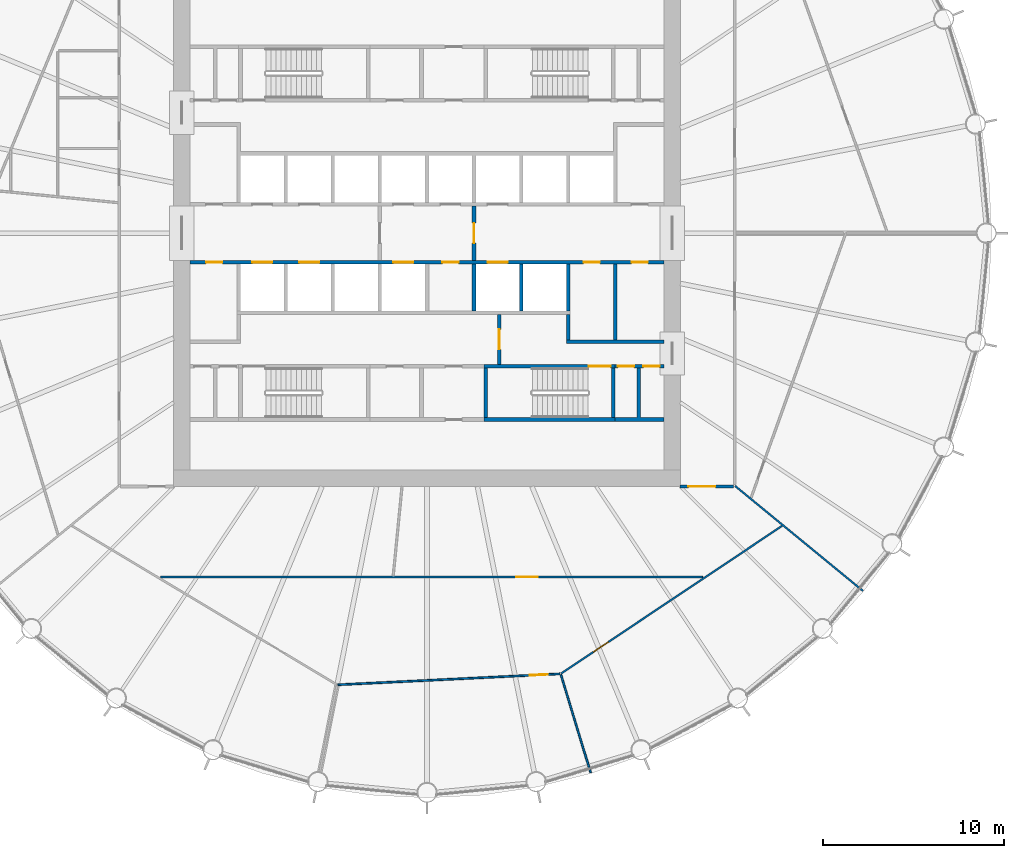
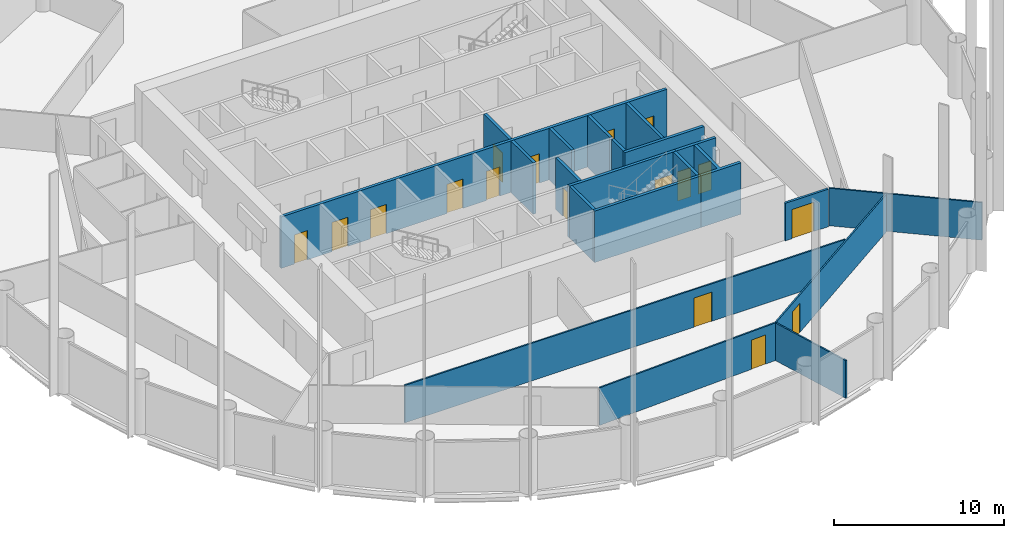
# One storey, part 5 of 9: 21 walls, 17 doors, 17 openings.
"""IFC4 building model written with IfcOpenShell, lengths in metres."""

from ifc_helpers import new_model, si_unit, direction, frame, frame_2d, origin, place, context, subcontext, project, spatial, polyline, rectangle, outline, extrude, material, layer, layer_set, type_object, element, fill, save


model = new_model("IFC4")

# Units and contexts
model_context = context("Model", 3, precision=1e-05, world=origin(), true_north=direction((0.0, 1.0)))
body_context = subcontext(model_context, "Body", "Model", "MODEL_VIEW")
ifc_project = project(units=[si_unit("LENGTHUNIT", "METRE"), si_unit("AREAUNIT", "SQUARE_METRE"), si_unit("VOLUMEUNIT", "CUBIC_METRE"), si_unit("PLANEANGLEUNIT", "RADIAN"), si_unit("MASSUNIT", "GRAM", prefix="KILO")], contexts=[model_context])

# Site, building, storey
site_placement = place(None, origin())
site = spatial("IfcSite", under=ifc_project, at=site_placement, CompositionType="ELEMENT")
building_placement = place(site_placement, origin())
building = spatial("IfcBuilding", under=site, at=building_placement, Name="Corvane Civic Tower", CompositionType="ELEMENT")
storey_placement = place(building_placement, frame((0.0, 0.0, 160.0)))
storey = spatial("IfcBuildingStorey", under=building, at=storey_placement, Name="L37", CompositionType="ELEMENT", Elevation=160.0)

# Wall, openings, doors
ifc_material_1 = material(Name="Concrete C30/37", Category="concrete")
ifc_layer_1 = layer(ifc_material_1, 0.199951171875)
ifc_layer_set_1 = layer_set([ifc_layer_1], Name="Concrete C30/37")
wall_type_1 = type_object("IfcWallType", Name="CR-WALL-200", PredefinedType="PARTITIONING", material=ifc_layer_set_1)
wall_1_placement = place(storey_placement, frame((10.39990234375, -7.35009765625, 0.0), z_axis=(0.0, 0.0, 1.0), x_axis=(1.0, 0.0, 0.0)))
wall_1 = element("IfcWall", 1, at=wall_1_placement, inside=storey, type_object=wall_type_1, Name="L37 core partition wall", PredefinedType="PARTITIONING", context=body_context, shape_type="SweptSolid", body=[
    extrude(rectangle(XDim=2.7001953125, YDim=0.199951171875, at=frame_2d((1.35009765625, 0.0))), origin(), (0.0, 0.0, 1.0), 3.699951171875),
])
opening_1_placement = place(wall_1_placement, frame((0.14990234375, 0.0, 0.0)))
opening_1 = element("IfcOpeningElement", 2, at=opening_1_placement, cuts=wall_1, Name="Opening L37.C19", PredefinedType="OPENING", context=body_context, shape_type="SweptSolid", body=[
    extrude(rectangle(XDim=0.89990234375, YDim=2.10009765625, at=frame_2d((0.449951171875, 1.050048828125))), frame((0.0, 0.10986328125, 0.0), z_axis=(0.0, -1.0, 0.0), x_axis=(1.0, 0.0, 0.0)), (0.0, 0.0, 1.0), 0.219970703125),
])
opening_2_placement = place(wall_1_placement, frame((1.550048828125, 0.0, 0.0)))
opening_2 = element("IfcOpeningElement", 3, at=opening_2_placement, cuts=wall_1, Name="Opening L37.C20", PredefinedType="OPENING", context=body_context, shape_type="SweptSolid", body=[
    extrude(rectangle(XDim=0.89990234375, YDim=2.10009765625, at=frame_2d((0.449951171875, 1.050048828125))), frame((0.0, 0.10986328125, 0.0), z_axis=(0.0, -1.0, 0.0), x_axis=(1.0, 0.0, 0.0)), (0.0, 0.0, 1.0), 0.219970703125),
])
ifc_material_2 = material(Name="Steel fire door leaf", Category="steel")
door_type_1 = type_object("IfcDoorType", Name="CR-DOOR-900", OperationType="SINGLE_SWING_LEFT", PredefinedType="DOOR", material=ifc_material_2)
door_1_placement = place(opening_1_placement, origin())
door_1 = element("IfcDoor", 4, at=door_1_placement, inside=storey, type_object=door_type_1, Name="L37 door", OperationType="SINGLE_SWING_LEFT", OverallHeight=2.10009765625, OverallWidth=0.89990234375, PredefinedType="DOOR", context=body_context, shape_type="SweptSolid", body=[
    extrude(rectangle(XDim=0.89990234375, YDim=2.10009765625, at=frame_2d((0.449951171875, 1.050048828125))), frame((0.0, 0.02490234375, 0.0), z_axis=(0.0, -1.0, 0.0), x_axis=(1.0, 0.0, 0.0)), (0.0, 0.0, 1.0), 0.050048828125),
])
fill(opening_1, door_1)
door_2_placement = place(opening_2_placement, origin())
door_2 = element("IfcDoor", 5, at=door_2_placement, inside=storey, type_object=door_type_1, Name="L37 door", OperationType="SINGLE_SWING_LEFT", OverallHeight=2.10009765625, OverallWidth=0.89990234375, PredefinedType="DOOR", context=body_context, shape_type="SweptSolid", body=[
    extrude(rectangle(XDim=0.89990234375, YDim=2.10009765625, at=frame_2d((0.449951171875, 1.050048828125))), frame((0.0, 0.02490234375, 0.0), z_axis=(0.0, -1.0, 0.0), x_axis=(1.0, 0.0, 0.0)), (0.0, 0.0, 1.0), 0.050048828125),
])
fill(opening_2, door_2)

wall_2_placement = place(storey_placement, frame((-13.10009765625, -1.60009765625, 0.0), z_axis=(0.0, 0.0, 1.0), x_axis=(1.0, 0.0, 0.0)))
wall_2 = element("IfcWall", 6, at=wall_2_placement, inside=storey, type_object=wall_type_1, Name="L37 lift shaft wall", PredefinedType="PARTITIONING", context=body_context, shape_type="SweptSolid", body=[
    extrude(rectangle(XDim=26.2001953125, YDim=0.199951171875, at=frame_2d((13.10009765625, 0.0))), origin(), (0.0, 0.0, 1.0), 3.699951171875),
])
opening_3_placement = place(wall_2_placement, frame((3.449951171875, 0.0, 0.0)))
opening_3 = element("IfcOpeningElement", 7, at=opening_3_placement, cuts=wall_2, Name="Opening LD", PredefinedType="OPENING", context=body_context, shape_type="SweptSolid", body=[
    extrude(rectangle(XDim=1.10009765625, YDim=2.10009765625, at=frame_2d((0.550048828125, 1.050048828125))), frame((0.0, 0.10986328125, 0.0), z_axis=(0.0, -1.0, 0.0), x_axis=(1.0, 0.0, 0.0)), (0.0, 0.0, 1.0), 0.219970703125),
])
opening_4_placement = place(wall_2_placement, frame((6.050048828125, 0.0, 0.0)))
opening_4 = element("IfcOpeningElement", 8, at=opening_4_placement, cuts=wall_2, Name="Opening LD", PredefinedType="OPENING", context=body_context, shape_type="SweptSolid", body=[
    extrude(rectangle(XDim=1.10009765625, YDim=2.10009765625, at=frame_2d((0.550048828125, 1.050048828125))), frame((0.0, 0.10986328125, 0.0), z_axis=(0.0, -1.0, 0.0), x_axis=(1.0, 0.0, 0.0)), (0.0, 0.0, 1.0), 0.219970703125),
])
opening_5_placement = place(wall_2_placement, frame((11.25, 0.0, 0.0)))
opening_5 = element("IfcOpeningElement", 9, at=opening_5_placement, cuts=wall_2, Name="Opening LD", PredefinedType="OPENING", context=body_context, shape_type="SweptSolid", body=[
    extrude(rectangle(XDim=1.10009765625, YDim=2.10009765625, at=frame_2d((0.550048828125, 1.050048828125))), frame((0.0, 0.10986328125, 0.0), z_axis=(0.0, -1.0, 0.0), x_axis=(1.0, 0.0, 0.0)), (0.0, 0.0, 1.0), 0.219970703125),
])
opening_6_placement = place(wall_2_placement, frame((13.949951171875, 0.0, 0.0)))
opening_6 = element("IfcOpeningElement", 10, at=opening_6_placement, cuts=wall_2, Name="Opening L37.C03", PredefinedType="OPENING", context=body_context, shape_type="SweptSolid", body=[
    extrude(rectangle(XDim=0.89990234375, YDim=2.10009765625, at=frame_2d((0.449951171875, 1.050048828125))), frame((0.0, 0.10986328125, 0.0), z_axis=(0.0, -1.0, 0.0), x_axis=(1.0, 0.0, 0.0)), (0.0, 0.0, 1.0), 0.219970703125),
])
opening_7_placement = place(wall_2_placement, frame((16.449951171875, 0.0, 0.0)))
opening_7 = element("IfcOpeningElement", 11, at=opening_7_placement, cuts=wall_2, Name="Opening LD", PredefinedType="OPENING", context=body_context, shape_type="SweptSolid", body=[
    extrude(rectangle(XDim=1.10009765625, YDim=2.10009765625, at=frame_2d((0.550048828125, 1.050048828125))), frame((0.0, 0.10986328125, 0.0), z_axis=(0.0, -1.0, 0.0), x_axis=(1.0, 0.0, 0.0)), (0.0, 0.0, 1.0), 0.219970703125),
])
opening_8_placement = place(wall_2_placement, frame((0.89990234375, 0.0, 0.0)))
opening_8 = element("IfcOpeningElement", 12, at=opening_8_placement, cuts=wall_2, Name="Opening L37.C04", PredefinedType="OPENING", context=body_context, shape_type="SweptSolid", body=[
    extrude(rectangle(XDim=0.89990234375, YDim=2.10009765625, at=frame_2d((0.449951171875, 1.050048828125))), frame((0.0, 0.10986328125, 0.0), z_axis=(0.0, -1.0, 0.0), x_axis=(1.0, 0.0, 0.0)), (0.0, 0.0, 1.0), 0.219970703125),
])
opening_9_placement = place(wall_2_placement, frame((21.75, 0.0, 0.0)))
opening_9 = element("IfcOpeningElement", 13, at=opening_9_placement, cuts=wall_2, Name="Opening L37.C05", PredefinedType="OPENING", context=body_context, shape_type="SweptSolid", body=[
    extrude(rectangle(XDim=0.89990234375, YDim=2.10009765625, at=frame_2d((0.449951171875, 1.050048828125))), frame((0.0, 0.10986328125, 0.0), z_axis=(0.0, -1.0, 0.0), x_axis=(1.0, 0.0, 0.0)), (0.0, 0.0, 1.0), 0.219970703125),
])
opening_10_placement = place(wall_2_placement, frame((24.39990234375, 0.0, 0.0)))
opening_10 = element("IfcOpeningElement", 14, at=opening_10_placement, cuts=wall_2, Name="Opening L37.C06", PredefinedType="OPENING", context=body_context, shape_type="SweptSolid", body=[
    extrude(rectangle(XDim=0.89990234375, YDim=2.10009765625, at=frame_2d((0.449951171875, 1.050048828125))), frame((0.0, 0.10986328125, 0.0), z_axis=(0.0, -1.0, 0.0), x_axis=(1.0, 0.0, 0.0)), (0.0, 0.0, 1.0), 0.219970703125),
])
door_3_placement = place(opening_6_placement, origin())
door_3 = element("IfcDoor", 15, at=door_3_placement, inside=storey, type_object=door_type_1, Name="L37 door", OperationType="SINGLE_SWING_LEFT", OverallHeight=2.10009765625, OverallWidth=0.89990234375, PredefinedType="DOOR", context=body_context, shape_type="SweptSolid", body=[
    extrude(rectangle(XDim=0.89990234375, YDim=2.10009765625, at=frame_2d((0.449951171875, 1.050048828125))), frame((0.0, 0.02490234375, 0.0), z_axis=(0.0, -1.0, 0.0), x_axis=(1.0, 0.0, 0.0)), (0.0, 0.0, 1.0), 0.050048828125),
])
fill(opening_6, door_3)
door_4_placement = place(opening_8_placement, origin())
door_4 = element("IfcDoor", 16, at=door_4_placement, inside=storey, type_object=door_type_1, Name="L37 door", OperationType="SINGLE_SWING_LEFT", OverallHeight=2.10009765625, OverallWidth=0.89990234375, PredefinedType="DOOR", context=body_context, shape_type="SweptSolid", body=[
    extrude(rectangle(XDim=0.89990234375, YDim=2.10009765625, at=frame_2d((0.449951171875, 1.050048828125))), frame((0.0, 0.02490234375, 0.0), z_axis=(0.0, -1.0, 0.0), x_axis=(1.0, 0.0, 0.0)), (0.0, 0.0, 1.0), 0.050048828125),
])
fill(opening_8, door_4)
door_5_placement = place(opening_9_placement, origin())
door_5 = element("IfcDoor", 17, at=door_5_placement, inside=storey, type_object=door_type_1, Name="L37 door", OperationType="SINGLE_SWING_LEFT", OverallHeight=2.10009765625, OverallWidth=0.89990234375, PredefinedType="DOOR", context=body_context, shape_type="SweptSolid", body=[
    extrude(rectangle(XDim=0.89990234375, YDim=2.10009765625, at=frame_2d((0.449951171875, 1.050048828125))), frame((0.0, 0.02490234375, 0.0), z_axis=(0.0, -1.0, 0.0), x_axis=(1.0, 0.0, 0.0)), (0.0, 0.0, 1.0), 0.050048828125),
])
fill(opening_9, door_5)
door_6_placement = place(opening_10_placement, origin())
door_6 = element("IfcDoor", 18, at=door_6_placement, inside=storey, type_object=door_type_1, Name="L37 door", OperationType="SINGLE_SWING_LEFT", OverallHeight=2.10009765625, OverallWidth=0.89990234375, PredefinedType="DOOR", context=body_context, shape_type="SweptSolid", body=[
    extrude(rectangle(XDim=0.89990234375, YDim=2.10009765625, at=frame_2d((0.449951171875, 1.050048828125))), frame((0.0, 0.02490234375, 0.0), z_axis=(0.0, -1.0, 0.0), x_axis=(1.0, 0.0, 0.0)), (0.0, 0.0, 1.0), 0.050048828125),
])
fill(opening_10, door_6)
ifc_material_3 = material(Name="Stainless steel 316 door leaves", Category="steel")
door_type_2 = type_object("IfcDoorType", Name="LD", OperationType="DOUBLE_DOOR_SLIDING", PredefinedType="DOOR", material=ifc_material_3)
door_7_placement = place(opening_3_placement, origin())
door_7 = element("IfcDoor", 19, at=door_7_placement, inside=storey, type_object=door_type_2, Name="L37 landing door", OperationType="DOUBLE_DOOR_SLIDING", OverallHeight=2.10009765625, OverallWidth=1.10009765625, PredefinedType="DOOR", context=body_context, shape_type="SweptSolid", body=[
    extrude(rectangle(XDim=1.10009765625, YDim=2.10009765625, at=frame_2d((0.550048828125, 1.050048828125))), frame((0.0, 0.02490234375, 0.0), z_axis=(0.0, -1.0, 0.0), x_axis=(1.0, 0.0, 0.0)), (0.0, 0.0, 1.0), 0.050048828125),
])
fill(opening_3, door_7)
door_8_placement = place(opening_4_placement, origin())
door_8 = element("IfcDoor", 20, at=door_8_placement, inside=storey, type_object=door_type_2, Name="L37 landing door", OperationType="DOUBLE_DOOR_SLIDING", OverallHeight=2.10009765625, OverallWidth=1.10009765625, PredefinedType="DOOR", context=body_context, shape_type="SweptSolid", body=[
    extrude(rectangle(XDim=1.10009765625, YDim=2.10009765625, at=frame_2d((0.550048828125, 1.050048828125))), frame((0.0, 0.02490234375, 0.0), z_axis=(0.0, -1.0, 0.0), x_axis=(1.0, 0.0, 0.0)), (0.0, 0.0, 1.0), 0.050048828125),
])
fill(opening_4, door_8)
door_9_placement = place(opening_5_placement, origin())
door_9 = element("IfcDoor", 21, at=door_9_placement, inside=storey, type_object=door_type_2, Name="L37 landing door", OperationType="DOUBLE_DOOR_SLIDING", OverallHeight=2.10009765625, OverallWidth=1.10009765625, PredefinedType="DOOR", context=body_context, shape_type="SweptSolid", body=[
    extrude(rectangle(XDim=1.10009765625, YDim=2.10009765625, at=frame_2d((0.550048828125, 1.050048828125))), frame((0.0, 0.02490234375, 0.0), z_axis=(0.0, -1.0, 0.0), x_axis=(1.0, 0.0, 0.0)), (0.0, 0.0, 1.0), 0.050048828125),
])
fill(opening_5, door_9)
door_10_placement = place(opening_7_placement, origin())
door_10 = element("IfcDoor", 22, at=door_10_placement, inside=storey, type_object=door_type_2, Name="L37 landing door", OperationType="DOUBLE_DOOR_SLIDING", OverallHeight=2.10009765625, OverallWidth=1.10009765625, PredefinedType="DOOR", context=body_context, shape_type="SweptSolid", body=[
    extrude(rectangle(XDim=1.10009765625, YDim=2.10009765625, at=frame_2d((0.550048828125, 1.050048828125))), frame((0.0, 0.02490234375, 0.0), z_axis=(0.0, -1.0, 0.0), x_axis=(1.0, 0.0, 0.0)), (0.0, 0.0, 1.0), 0.050048828125),
])
fill(opening_7, door_10)

# Wall, opening, door
wall_3_placement = place(storey_placement, frame((2.60009765625, -1.5, 0.0), z_axis=(0.0, 0.0, 1.0), x_axis=(0.0, 1.0, 0.0)))
wall_3 = element("IfcWall", 23, at=wall_3_placement, inside=storey, type_object=wall_type_1, Name="L37 firefighting lobby wall", PredefinedType="PARTITIONING", context=body_context, shape_type="SweptSolid", body=[
    extrude(rectangle(XDim=3.0, YDim=0.199951171875, at=frame_2d((1.5, 0.0))), origin(), (0.0, 0.0, 1.0), 3.699951171875),
])
opening_11_placement = place(wall_3_placement, frame((0.949951171875, 0.0, 0.0)))
opening_11 = element("IfcOpeningElement", 24, at=opening_11_placement, cuts=wall_3, Name="Opening L37.C26", PredefinedType="OPENING", context=body_context, shape_type="SweptSolid", body=[
    extrude(rectangle(XDim=1.10009765625, YDim=2.10009765625, at=frame_2d((0.550048828125, 1.050048828125))), frame((0.0, 0.10986328125, 0.0), z_axis=(0.0, -1.0, 0.0), x_axis=(1.0, 0.0, 0.0)), (0.0, 0.0, 1.0), 0.219970703125),
])
ifc_material_4 = material(Name="Steel fire door leaf", Category="steel")
door_type_3 = type_object("IfcDoorType", Name="CR-DOOR-FFL-1100", OperationType="SINGLE_SWING_LEFT", PredefinedType="DOOR", material=ifc_material_4)
door_11_placement = place(opening_11_placement, origin())
door_11 = element("IfcDoor", 25, at=door_11_placement, inside=storey, type_object=door_type_3, Name="L37 lobby door", OperationType="SINGLE_SWING_LEFT", OverallHeight=2.10009765625, OverallWidth=1.10009765625, PredefinedType="DOOR", context=body_context, shape_type="SweptSolid", body=[
    extrude(rectangle(XDim=1.10009765625, YDim=2.10009765625, at=frame_2d((0.550048828125, 1.050048828125))), frame((0.0, 0.02490234375, 0.0), z_axis=(0.0, -1.0, 0.0), x_axis=(1.0, 0.0, 0.0)), (0.0, 0.0, 1.0), 0.050048828125),
])
fill(opening_11, door_11)

wall_4_placement = place(storey_placement, frame((4.0, -7.25, 0.0), z_axis=(0.0, 0.0, 1.0), x_axis=(0.0, 1.0, 0.0)))
wall_4 = element("IfcWall", 26, at=wall_4_placement, inside=storey, type_object=wall_type_1, Name="L37 core partition wall", PredefinedType="PARTITIONING", context=body_context, shape_type="SweptSolid", body=[
    extrude(rectangle(XDim=2.75, YDim=0.199951171875, at=frame_2d((1.375, 0.0))), origin(), (0.0, 0.0, 1.0), 3.699951171875),
])
opening_12_placement = place(wall_4_placement, frame((0.824951171875, 0.0, 0.0)))
opening_12 = element("IfcOpeningElement", 27, at=opening_12_placement, cuts=wall_4, Name="Opening L37.C27", PredefinedType="OPENING", context=body_context, shape_type="SweptSolid", body=[
    extrude(rectangle(XDim=1.10009765625, YDim=2.10009765625, at=frame_2d((0.550048828125, 1.050048828125))), frame((0.0, 0.10986328125, 0.0), z_axis=(0.0, -1.0, 0.0), x_axis=(1.0, 0.0, 0.0)), (0.0, 0.0, 1.0), 0.219970703125),
])
door_12_placement = place(opening_12_placement, origin())
door_12 = element("IfcDoor", 28, at=door_12_placement, inside=storey, type_object=door_type_3, Name="L37 lobby door", OperationType="SINGLE_SWING_LEFT", OverallHeight=2.10009765625, OverallWidth=1.10009765625, PredefinedType="DOOR", context=body_context, shape_type="SweptSolid", body=[
    extrude(rectangle(XDim=1.10009765625, YDim=2.10009765625, at=frame_2d((0.550048828125, 1.050048828125))), frame((0.0, 0.02490234375, 0.0), z_axis=(0.0, -1.0, 0.0), x_axis=(1.0, 0.0, 0.0)), (0.0, 0.0, 1.0), 0.050048828125),
])
fill(opening_12, door_12)

# Walls
wall_5_placement = place(storey_placement, origin())
element("IfcWall", 29, at=wall_5_placement, inside=storey, type_object=wall_type_1, Name="L37 core partition wall", PredefinedType="PARTITIONING", context=body_context, shape_type="SweptSolid", body=[
    extrude(outline(polyline([(13.10009765625, -6.10009765625), (7.699951171875, -6.10009765625), (7.699951171875, -5.89990234375), (13.10009765625, -5.89990234375), (13.10009765625, -6.10009765625)])), origin(), (0.0, 0.0, 1.0), 3.699951171875),
])
wall_6_placement = place(storey_placement, origin())
element("IfcWall", 30, at=wall_6_placement, inside=storey, type_object=wall_type_1, Name="L37 core partition wall", PredefinedType="PARTITIONING", context=body_context, shape_type="SweptSolid", body=[
    extrude(outline(polyline([(10.5, -1.699951171875), (10.5, -5.89990234375), (10.300048828125, -5.89990234375), (10.300048828125, -1.699951171875), (10.5, -1.699951171875)])), origin(), (0.0, 0.0, 1.0), 3.699951171875),
])
wall_7_placement = place(storey_placement, origin())
element("IfcWall", 31, at=wall_7_placement, inside=storey, type_object=wall_type_1, Name="L37 core partition wall", PredefinedType="PARTITIONING", context=body_context, shape_type="SweptSolid", body=[
    extrude(outline(polyline([(2.699951171875, -1.699951171875), (2.699951171875, -4.2998046875), (2.5, -4.2998046875), (2.5, -1.699951171875), (2.699951171875, -1.699951171875)])), origin(), (0.0, 0.0, 1.0), 3.699951171875),
])
wall_8_placement = place(storey_placement, origin())
element("IfcWall", 32, at=wall_8_placement, inside=storey, type_object=wall_type_1, Name="L37 core partition wall", PredefinedType="PARTITIONING", context=body_context, shape_type="SweptSolid", body=[
    extrude(outline(polyline([(5.300048828125, -1.699951171875), (5.300048828125, -4.2998046875), (5.10009765625, -4.2998046875), (5.10009765625, -1.699951171875), (5.300048828125, -1.699951171875)])), origin(), (0.0, 0.0, 1.0), 3.699951171875),
])
wall_9_placement = place(storey_placement, origin())
element("IfcWall", 33, at=wall_9_placement, inside=storey, type_object=wall_type_1, Name="L37 core partition wall", PredefinedType="PARTITIONING", context=body_context, shape_type="SweptSolid", body=[
    extrude(outline(polyline([(7.89990234375, -1.699951171875), (7.89990234375, -4.2998046875), (7.699951171875, -4.2998046875), (7.699951171875, -1.699951171875), (7.89990234375, -1.699951171875)])), origin(), (0.0, 0.0, 1.0), 3.699951171875),
])
wall_10_placement = place(storey_placement, origin())
element("IfcWall", 34, at=wall_10_placement, inside=storey, type_object=wall_type_1, Name="L37 core partition wall", PredefinedType="PARTITIONING", context=body_context, shape_type="SweptSolid", body=[
    extrude(outline(polyline([(7.89990234375, -5.89990234375), (7.699951171875, -5.89990234375), (7.699951171875, -4.5), (7.89990234375, -4.5), (7.89990234375, -5.89990234375)])), origin(), (0.0, 0.0, 1.0), 3.699951171875),
])
wall_11_placement = place(storey_placement, origin())
element("IfcWall", 35, at=wall_11_placement, inside=storey, type_object=wall_type_1, Name="L37 core partition wall", PredefinedType="PARTITIONING", context=body_context, shape_type="SweptSolid", body=[
    extrude(outline(polyline([(11.800048828125, -7.449951171875), (11.800048828125, -10.199951171875), (13.10009765625, -10.199951171875), (13.10009765625, -10.39990234375), (10.39990234375, -10.39990234375), (10.39990234375, -10.199951171875), (11.60009765625, -10.199951171875), (11.60009765625, -7.449951171875), (11.800048828125, -7.449951171875)])), origin(), (0.0, 0.0, 1.0), 3.699951171875),
])
ifc_material_5 = material(Name="Plasterboard")
ifc_layer_2 = layer(ifc_material_5, 0.10009765625)
ifc_layer_set_2 = layer_set([ifc_layer_2], Name="Plasterboard")
wall_type_2 = type_object("IfcWallType", Name="Partition 100 plasterboard on studs", PredefinedType="PARTITIONING", material=ifc_layer_set_2)
wall_12_placement = place(storey_placement, frame((7.397216796875, -24.385009765625, 0.0), z_axis=(0.0, 0.0, 1.0), x_axis=(0.290278763568, -0.956942129609, 0.0)))
element("IfcWall", 36, at=wall_12_placement, inside=storey, type_object=wall_type_2, Name="Partition L37.001", PredefinedType="PARTITIONING", context=body_context, shape_type="SweptSolid", body=[
    extrude(rectangle(XDim=5.66796875, YDim=0.10009765625, at=frame_2d((2.833984375, 0.0))), origin(), (0.0, 0.0, 1.0), 2.699951171875),
])

# Wall, opening, door
wall_13_placement = place(storey_placement, frame((-4.9248046875, -24.952392578125, 0.0), z_axis=(0.0, 0.0, 1.0), x_axis=(0.998795760004, 0.049061489962, 0.0)))
wall_13 = element("IfcWall", 37, at=wall_13_placement, inside=storey, type_object=wall_type_2, Name="Partition L37.003", PredefinedType="PARTITIONING", context=body_context, shape_type="SweptSolid", body=[
    extrude(rectangle(XDim=12.286376953125, YDim=0.10009765625, at=frame_2d((6.14306640625, 0.0))), origin(), (0.0, 0.0, 1.0), 2.699951171875),
])
opening_13_placement = place(wall_13_placement, frame((10.616455078125, 0.0, 0.0)))
opening_13 = element("IfcOpeningElement", 38, at=opening_13_placement, cuts=wall_13, Name="Opening L37.007", PredefinedType="OPENING", context=body_context, shape_type="SweptSolid", body=[
    extrude(rectangle(XDim=1.0, YDim=2.10009765625, at=frame_2d((0.5, 1.050048828125))), frame((0.0, 0.06005859375, 0.0), z_axis=(0.0, -1.0, 0.0), x_axis=(1.0, 0.0, 0.0)), (0.0, 0.0, 1.0), 0.1201171875),
])
ifc_material_6 = material(Name="Timber", Category="wood")
door_type_4 = type_object("IfcDoorType", Name="Single door 1000", OperationType="NOTDEFINED", PredefinedType="DOOR", material=ifc_material_6)
door_13_placement = place(opening_13_placement, frame((1.0, 0.0, 0.0), z_axis=(0.0, 0.0, 1.0), x_axis=(-1.0, 0.0, 0.0)))
door_13 = element("IfcDoor", 39, at=door_13_placement, inside=storey, type_object=door_type_4, Name="Door L37.007", OperationType="SINGLE_SWING_RIGHT", OverallHeight=2.10009765625, OverallWidth=1.0, PredefinedType="DOOR", context=body_context, shape_type="SweptSolid", body=[
    extrude(rectangle(XDim=1.0, YDim=2.10009765625, at=frame_2d((0.5, 1.050048828125))), frame((0.0, 0.02490234375, 0.0), z_axis=(0.0, -1.0, 0.0), x_axis=(1.0, 0.0, 0.0)), (0.0, 0.0, 1.0), 0.050048828125),
])
fill(opening_13, door_13)

wall_14_placement = place(storey_placement, frame((7.41650390625, -24.3271484375, 0.0), z_axis=(0.0, 0.0, 1.0), x_axis=(0.831468530602, 0.555571851896, 0.0)))
wall_14 = element("IfcWall", 40, at=wall_14_placement, inside=storey, type_object=wall_type_2, Name="Partition L37.005", PredefinedType="PARTITIONING", context=body_context, shape_type="SweptSolid", body=[
    extrude(rectangle(XDim=14.667236328125, YDim=0.10009765625, at=frame_2d((7.33349609375, 0.0))), origin(), (0.0, 0.0, 1.0), 2.699951171875),
])
opening_14_placement = place(wall_14_placement, frame((2.1328125, 0.0, 0.0)))
opening_14 = element("IfcOpeningElement", 41, at=opening_14_placement, cuts=wall_14, Name="Opening L37.006", PredefinedType="OPENING", context=body_context, shape_type="SweptSolid", body=[
    extrude(rectangle(XDim=1.0, YDim=2.10009765625, at=frame_2d((0.5, 1.050048828125))), frame((0.0, 0.06005859375, 0.0), z_axis=(0.0, -1.0, 0.0), x_axis=(1.0, 0.0, 0.0)), (0.0, 0.0, 1.0), 0.1201171875),
])
door_14_placement = place(opening_14_placement, frame((1.0, 0.0, 0.0), z_axis=(0.0, 0.0, 1.0), x_axis=(-1.0, 0.0, 0.0)))
door_14 = element("IfcDoor", 42, at=door_14_placement, inside=storey, type_object=door_type_4, Name="Door L37.006", OperationType="SINGLE_SWING_LEFT", OverallHeight=2.10009765625, OverallWidth=1.0, PredefinedType="DOOR", context=body_context, shape_type="SweptSolid", body=[
    extrude(rectangle(XDim=1.0, YDim=2.10009765625, at=frame_2d((0.5, 1.050048828125))), frame((0.0, 0.02490234375, 0.0), z_axis=(0.0, -1.0, 0.0), x_axis=(1.0, 0.0, 0.0)), (0.0, 0.0, 1.0), 0.050048828125),
])
fill(opening_14, door_14)

# Wall
wall_15_placement = place(storey_placement, frame((17.018310546875, -13.966552734375, 0.0), z_axis=(0.0, 0.0, 1.0), x_axis=(0.773006154143, -0.634398522742, 0.0)))
element("IfcWall", 43, at=wall_15_placement, inside=storey, type_object=wall_type_2, Name="Partition L37.007", PredefinedType="PARTITIONING", context=body_context, shape_type="SweptSolid", body=[
    extrude(rectangle(XDim=9.134521484375, YDim=0.10009765625, at=frame_2d((4.5673828125, 0.0))), origin(), (0.0, 0.0, 1.0), 2.699951171875),
])

# Wall, opening, door
wall_16_placement = place(storey_placement, frame((-14.71728515625, -19.0, 0.0), z_axis=(0.0, 0.0, 1.0), x_axis=(1.0, 0.0, 0.0)))
wall_16 = element("IfcWall", 44, at=wall_16_placement, inside=storey, type_object=wall_type_2, Name="Partition L37.008", PredefinedType="PARTITIONING", context=body_context, shape_type="SweptSolid", body=[
    extrude(rectangle(XDim=29.941650390625, YDim=0.10009765625, at=frame_2d((14.970703125, 0.0))), origin(), (0.0, 0.0, 1.0), 2.699951171875),
])
opening_15_placement = place(wall_16_placement, frame((19.639404296875, 0.0, 0.0)))
opening_15 = element("IfcOpeningElement", 45, at=opening_15_placement, cuts=wall_16, Name="Opening L37.009", PredefinedType="OPENING", context=body_context, shape_type="SweptSolid", body=[
    extrude(rectangle(XDim=1.199951171875, YDim=2.10009765625, at=frame_2d((0.60009765625, 1.050048828125))), frame((0.0, 0.06005859375, 0.0), z_axis=(0.0, -1.0, 0.0), x_axis=(1.0, 0.0, 0.0)), (0.0, 0.0, 1.0), 0.1201171875),
])
ifc_material_7 = material(Name="Timber", Category="wood")
door_type_5 = type_object("IfcDoorType", Name="Double door 1200", OperationType="NOTDEFINED", PredefinedType="DOOR", material=ifc_material_7)
door_15_placement = place(opening_15_placement, frame((1.199951171875, 0.0, 0.0), z_axis=(0.0, 0.0, 1.0), x_axis=(-1.0, 0.0, 0.0)))
door_15 = element("IfcDoor", 46, at=door_15_placement, inside=storey, type_object=door_type_5, Name="Door L37.009", OperationType="DOUBLE_DOOR_SINGLE_SWING", OverallHeight=2.10009765625, OverallWidth=1.199951171875, PredefinedType="DOOR", context=body_context, shape_type="SweptSolid", body=[
    extrude(rectangle(XDim=1.199951171875, YDim=2.10009765625, at=frame_2d((0.60009765625, 1.050048828125))), frame((0.0, 0.02490234375, 0.0), z_axis=(0.0, -1.0, 0.0), x_axis=(1.0, 0.0, 0.0)), (0.0, 0.0, 1.0), 0.050048828125),
])
fill(opening_15, door_15)

ifc_material_8 = material(Name="Concrete C50/60", Category="concrete")
ifc_layer_3 = layer(ifc_material_8, 0.199951171875)
ifc_layer_set_3 = layer_set([ifc_layer_3], Name="Concrete C50/60")
wall_type_3 = type_object("IfcWallType", Name="ST-WALL-200", PredefinedType="SHEAR", material=ifc_layer_set_3)
wall_17_placement = place(storey_placement, frame((3.14990234375, -7.35009765625, 0.0), z_axis=(0.0, 0.0, 1.0), x_axis=(1.0, 0.0, 0.0)))
wall_17 = element("IfcWall", 47, at=wall_17_placement, inside=storey, type_object=wall_type_3, Name="L37 stair enclosure wall", PredefinedType="SHEAR", context=body_context, shape_type="SweptSolid", body=[
    extrude(rectangle(XDim=7.25, YDim=0.199951171875, at=frame_2d((3.625, 0.0))), origin(), (0.0, 0.0, 1.0), 3.699951171875),
])
opening_16_placement = place(wall_17_placement, frame((5.800048828125, 0.0, 0.0)))
opening_16 = element("IfcOpeningElement", 48, at=opening_16_placement, cuts=wall_17, Name="Opening L37.C23", PredefinedType="OPENING", context=body_context, shape_type="SweptSolid", body=[
    extrude(rectangle(XDim=1.199951171875, YDim=2.10009765625, at=frame_2d((0.60009765625, 1.050048828125))), frame((0.0, 0.10986328125, 0.0), z_axis=(0.0, -1.0, 0.0), x_axis=(1.0, 0.0, 0.0)), (0.0, 0.0, 1.0), 0.219970703125),
])
ifc_material_9 = material(Name="Steel fire door leaf", Category="steel")
door_type_6 = type_object("IfcDoorType", Name="ST-DOOR-1200", OperationType="SINGLE_SWING_RIGHT", PredefinedType="DOOR", material=ifc_material_9)
door_16_placement = place(opening_16_placement, origin())
door_16 = element("IfcDoor", 49, at=door_16_placement, inside=storey, type_object=door_type_6, Name="L37 stair door", OperationType="SINGLE_SWING_RIGHT", OverallHeight=2.10009765625, OverallWidth=1.199951171875, PredefinedType="DOOR", context=body_context, shape_type="SweptSolid", body=[
    extrude(rectangle(XDim=1.199951171875, YDim=2.10009765625, at=frame_2d((0.60009765625, 1.050048828125))), frame((0.0, 0.02490234375, 0.0), z_axis=(0.0, -1.0, 0.0), x_axis=(1.0, 0.0, 0.0)), (0.0, 0.0, 1.0), 0.050048828125),
])
fill(opening_16, door_16)

# Walls
wall_18_placement = place(storey_placement, origin())
element("IfcWall", 50, at=wall_18_placement, inside=storey, type_object=wall_type_3, Name="L37 stair enclosure wall", PredefinedType="SHEAR", context=body_context, shape_type="SweptSolid", body=[
    extrude(outline(polyline([(10.39990234375, -10.39990234375), (3.14990234375, -10.39990234375), (3.14990234375, -10.199951171875), (10.39990234375, -10.199951171875), (10.39990234375, -10.39990234375)])), origin(), (0.0, 0.0, 1.0), 3.699951171875),
])
wall_19_placement = place(storey_placement, origin())
element("IfcWall", 51, at=wall_19_placement, inside=storey, type_object=wall_type_3, Name="L37 stair enclosure wall", PredefinedType="SHEAR", context=body_context, shape_type="SweptSolid", body=[
    extrude(outline(polyline([(3.35009765625, -7.449951171875), (3.35009765625, -10.199951171875), (3.14990234375, -10.199951171875), (3.14990234375, -7.449951171875), (3.35009765625, -7.449951171875)])), origin(), (0.0, 0.0, 1.0), 3.699951171875),
])
wall_20_placement = place(storey_placement, origin())
element("IfcWall", 52, at=wall_20_placement, inside=storey, type_object=wall_type_3, Name="L37 stair enclosure wall", PredefinedType="SHEAR", context=body_context, shape_type="SweptSolid", body=[
    extrude(outline(polyline([(10.39990234375, -7.449951171875), (10.39990234375, -10.199951171875), (10.199951171875, -10.199951171875), (10.199951171875, -7.449951171875), (10.39990234375, -7.449951171875)])), origin(), (0.0, 0.0, 1.0), 3.699951171875),
])

# Wall, opening, door
ifc_material_10 = material(Name="Plasterboard")
ifc_layer_4 = layer(ifc_material_10, 0.14990234375)
ifc_layer_set_4 = layer_set([ifc_layer_4], Name="Plasterboard")
wall_type_4 = type_object("IfcWallType", Name="Tenancy wall 150 EI 60", PredefinedType="PARTITIONING", material=ifc_layer_set_4)
wall_21_placement = place(storey_placement, frame((13.989990234375, -14.0, 0.0), z_axis=(0.0, 0.0, 1.0), x_axis=(1.0, 0.0, 0.0)))
wall_21 = element("IfcWall", 53, at=wall_21_placement, inside=storey, type_object=wall_type_4, Name="Partition L37.013", PredefinedType="PARTITIONING", context=body_context, shape_type="SweptSolid", body=[
    extrude(rectangle(XDim=2.93505859375, YDim=0.14990234375, at=frame_2d((1.467529296875, 0.0))), origin(), (0.0, 0.0, 1.0), 2.699951171875),
])
opening_17_placement = place(wall_21_placement, frame((0.444091796875, 0.0, 0.0)))
opening_17 = element("IfcOpeningElement", 54, at=opening_17_placement, cuts=wall_21, Name="Opening L37.010", PredefinedType="OPENING", context=body_context, shape_type="SweptSolid", body=[
    extrude(rectangle(XDim=1.5, YDim=2.10009765625, at=frame_2d((0.75, 1.050048828125))), frame((0.0, 0.0849609375, 0.0), z_axis=(0.0, -1.0, 0.0), x_axis=(1.0, 0.0, 0.0)), (0.0, 0.0, 1.0), 0.169921875),
])
ifc_material_11 = material(Name="Steel and timber", Category="steel")
door_type_7 = type_object("IfcDoorType", Name="Fire door FD60 double 1500", OperationType="NOTDEFINED", PredefinedType="DOOR", material=ifc_material_11)
door_17_placement = place(opening_17_placement, frame((1.5, 0.0, 0.0), z_axis=(0.0, 0.0, 1.0), x_axis=(-1.0, 0.0, 0.0)))
door_17 = element("IfcDoor", 55, at=door_17_placement, inside=storey, type_object=door_type_7, Name="Door L37.010", OperationType="DOUBLE_DOOR_SINGLE_SWING", OverallHeight=2.10009765625, OverallWidth=1.5, PredefinedType="DOOR", context=body_context, shape_type="SweptSolid", body=[
    extrude(rectangle(XDim=1.5, YDim=2.10009765625, at=frame_2d((0.75, 1.050048828125))), frame((0.0, 0.02490234375, 0.0), z_axis=(0.0, -1.0, 0.0), x_axis=(1.0, 0.0, 0.0)), (0.0, 0.0, 1.0), 0.050048828125),
])
fill(opening_17, door_17)

save(model, "model.ifc")
